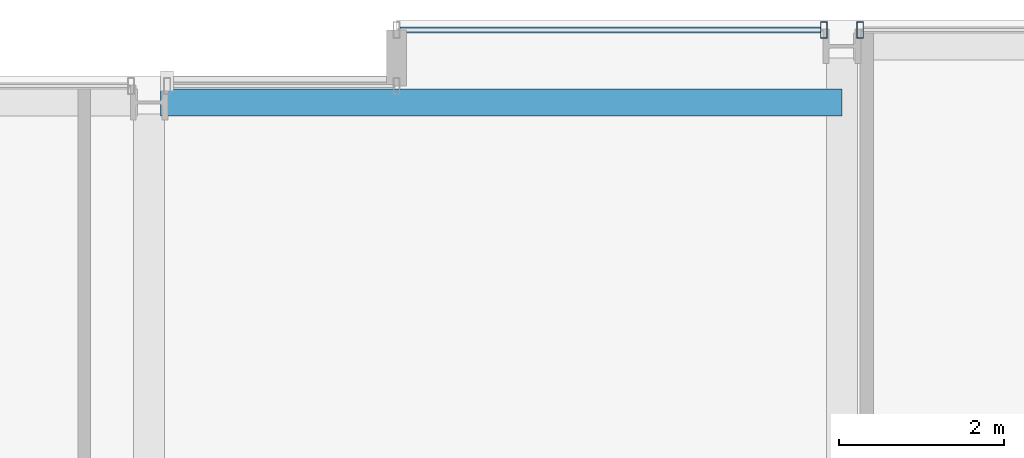
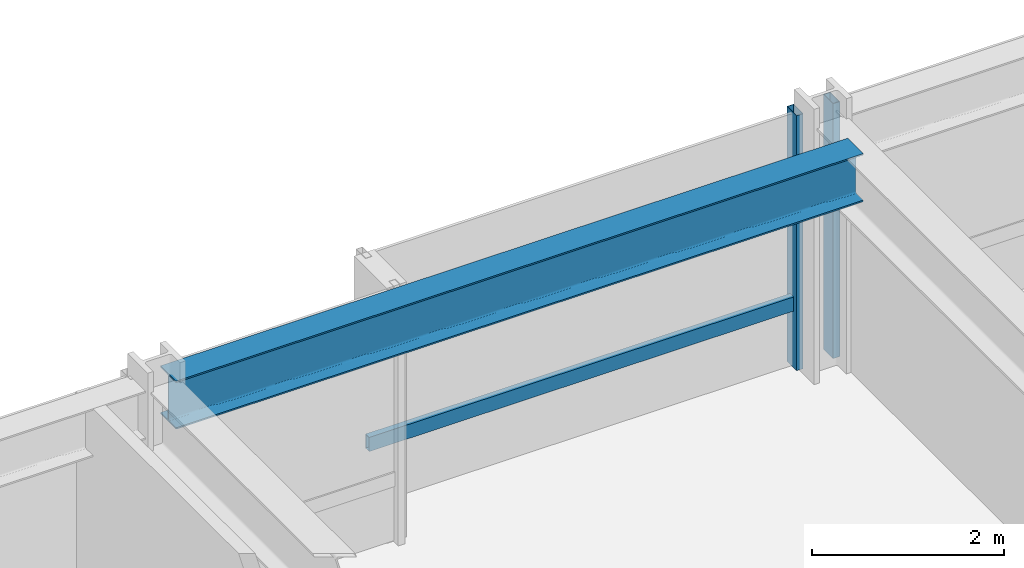
# One storey, part 25 of 34: 3 members, 1 beam, 2 elements without a shape of their own.
"""IFC4 building model written with IfcOpenShell, lengths in metres."""

from ifc_helpers import new_model, si_unit, direction, frame, origin, origin_2d, place, context, subcontext, project, spatial, hollow_rectangle, i_section, extrude, material, layer, layer_set, material_profile, profile_set, type_object, element, aggregate, save


model = new_model("IFC4")

# Units and contexts
model_context = context("Model", 3, precision=1e-05, world=origin(), true_north=direction((0.0, 1.0)))
body_context = subcontext(model_context, "Body", "Model", "MODEL_VIEW")
ifc_project = project(units=[si_unit("LENGTHUNIT", "METRE"), si_unit("AREAUNIT", "SQUARE_METRE"), si_unit("VOLUMEUNIT", "CUBIC_METRE"), si_unit("PLANEANGLEUNIT", "RADIAN"), si_unit("MASSUNIT", "GRAM", prefix="KILO")], contexts=[model_context])

# Site, building, storey
site_placement = place(None, origin())
site = spatial("IfcSite", under=ifc_project, at=site_placement, CompositionType="ELEMENT")
building_placement = place(site_placement, origin())
building = spatial("IfcBuilding", under=site, at=building_placement, Name="Drelvath Grand Hotel", CompositionType="ELEMENT")
storey_placement = place(building_placement, frame((0.0, 0.0, 102.300048828125)))
storey = spatial("IfcBuildingStorey", under=building, at=storey_placement, Name="L25", CompositionType="ELEMENT", Elevation=102.300048828125)

# Curtain wall, members
ifc_material_1 = material(Name="Champagne Bronze Anodised Aluminium Frame", Category="aluminium")
ifc_layer = layer(ifc_material_1, 0.199951171875)
ifc_layer_set = layer_set([ifc_layer], Name="Champagne Bronze Anodised Aluminium Frame")
curtain_wall_type = type_object("IfcCurtainWallType", Name="Stick Curtain Wall CW-03 Champagne Bronze Mid-Rise", PredefinedType="NOTDEFINED", material=ifc_layer_set)
curtain_wall_1_placement = place(storey_placement, origin())
curtain_wall_1 = element("IfcCurtainWall", 1, at=curtain_wall_1_placement, inside=storey, type_object=curtain_wall_type, Name="L25 CW-03 Curtain Wall CW03-L25-NE1", PredefinedType="NOTDEFINED")
ifc_material_profile_1 = material_profile(ifc_material_1, hollow_rectangle(XDim=0.074951171875, YDim=0.179931640625, WallThickness=0.0048828125, at=origin_2d()), Name="HSS180X75X5")
ifc_profile_set_1 = profile_set([ifc_material_profile_1], Name="Champagne Bronze Anodised Aluminium Frame")
member_type_1 = type_object("IfcMemberType", Name="Curtain Wall Horizontal Transom CW-03 HSS180X75X5", PredefinedType="USERDEFINED", material=ifc_profile_set_1)
member_1_placement = place(storey_placement, frame((3.0400390625, 53.8798828125, 0.81005859375), z_axis=(1.0, 0.0, 0.0), x_axis=(0.0, 1.0, 0.0)))
member_1 = element("IfcMember", 2, at=member_1_placement, type_object=member_type_1, Name="CW03-L25-NE1 Sill Transom", ObjectType="TRANSOM", PredefinedType="USERDEFINED", context=body_context, shape_type="SweptSolid", body=[
    extrude(hollow_rectangle(XDim=0.074951171875, YDim=0.179931640625, WallThickness=0.0048828125, at=origin_2d()), origin(), (0.0, 0.0, 1.0), 5.100341796875),
])
ifc_material_profile_2 = material_profile(ifc_material_1, hollow_rectangle(XDim=0.080078125, YDim=0.199951171875, WallThickness=0.0048828125, at=origin_2d()), Name="HSS200X80X5")
ifc_profile_set_2 = profile_set([ifc_material_profile_2], Name="Champagne Bronze Anodised Aluminium Frame")
member_type_2 = type_object("IfcMemberType", Name="Curtain Wall Vertical Mullion CW-03 HSS200X80X5", PredefinedType="MULLION", material=ifc_profile_set_2)
member_2_placement = place(storey_placement, frame((8.180419921875, 53.8798828125, 0.0), z_axis=(0.0, 0.0, 1.0), x_axis=(1.0, 0.0, 0.0)))
member_2 = element("IfcMember", 3, at=member_2_placement, type_object=member_type_2, Name="CW03-L25-NE1 Mullion 2", PredefinedType="MULLION", context=body_context, shape_type="SweptSolid", body=[
    extrude(hollow_rectangle(XDim=0.080078125, YDim=0.199951171875, WallThickness=0.0048828125, at=origin_2d()), origin(), (0.0, 0.0, 1.0), 3.239990234375),
])
aggregate(curtain_wall_1, [member_2, member_1])

# Curtain wall, member
curtain_wall_2_placement = place(storey_placement, origin())
curtain_wall_2 = element("IfcCurtainWall", 4, at=curtain_wall_2_placement, inside=storey, type_object=curtain_wall_type, Name="L25 CW-03 Curtain Wall CW03-L25-NE2", PredefinedType="NOTDEFINED")
member_3_placement = place(storey_placement, frame((8.61962890625, 53.8798828125, 0.0), z_axis=(0.0, 0.0, 1.0), x_axis=(1.0, 0.0, 0.0)))
member_3 = element("IfcMember", 5, at=member_3_placement, type_object=member_type_2, Name="CW03-L25-NE2 Mullion 1", PredefinedType="MULLION", context=body_context, shape_type="SweptSolid", body=[
    extrude(hollow_rectangle(XDim=0.080078125, YDim=0.199951171875, WallThickness=0.0048828125, at=origin_2d()), origin(), (0.0, 0.0, 1.0), 3.239990234375),
])
aggregate(curtain_wall_2, [member_3])

# Beam
ifc_material_2 = material(Name="Steel ASTM A992 Gr 50", Category="steel")
ifc_material_profile_3 = material_profile(ifc_material_2, i_section(OverallWidth=0.323974609375, OverallDepth=0.611083984375, WebThickness=0.0126953125, FlangeThickness=0.01904296875, FilletRadius=0.02197265625, at=origin_2d()), Name="W24X104")
ifc_profile_set_3 = profile_set([ifc_material_profile_3], Name="Steel ASTM A992 Gr 50")
beam_type = type_object("IfcBeamType", Name="Perimeter Spandrel Beam W24X104", PredefinedType="SPANDREL", material=ifc_profile_set_3)
beam_placement = place(storey_placement, frame((0.139892578125, 53.0, 2.9345703125), z_axis=(1.0, 0.0, 0.0), x_axis=(0.0, 1.0, 0.0)))
element("IfcBeam", 6, at=beam_placement, inside=storey, type_object=beam_type, Name="L25 Spandrel North Mid E", PredefinedType="SPANDREL", context=body_context, shape_type="SweptSolid", body=[
    extrude(i_section(OverallWidth=0.323974609375, OverallDepth=0.611083984375, WebThickness=0.0126953125, FlangeThickness=0.01904296875, FilletRadius=0.02197265625, at=origin_2d()), origin(), (0.0, 0.0, 1.0), 8.260009765625),
])

save(model, "model.ifc")
